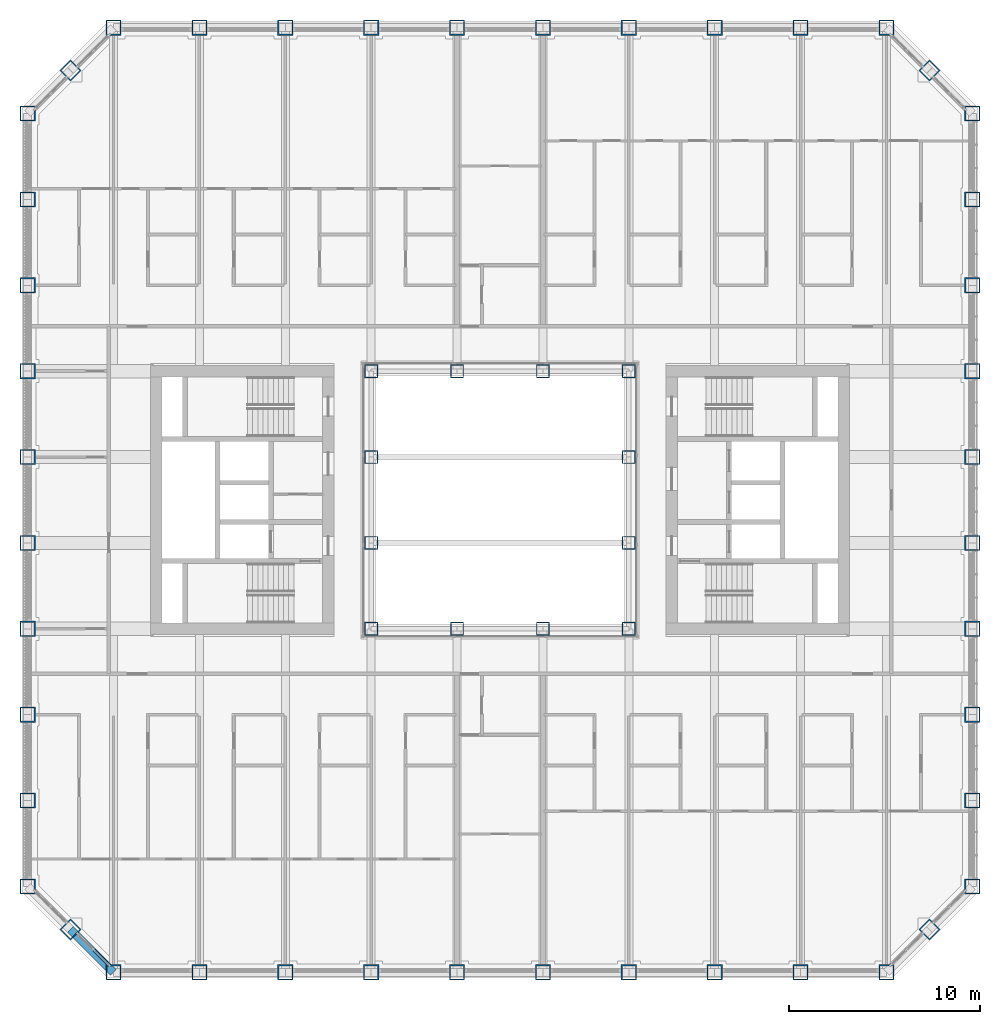
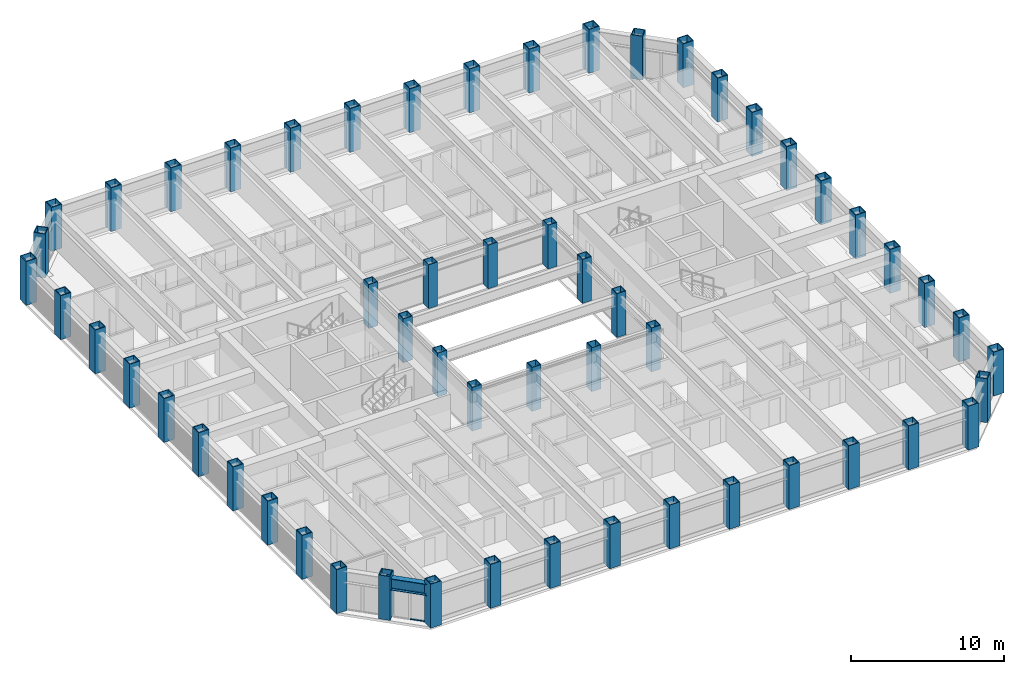
# One storey, part 1 of 21: 56 columns, 2 members, 1 beam, 1 element without a shape of its own.
"""IFC4 building model written with IfcOpenShell, lengths in metres."""

from ifc_helpers import new_model, si_unit, direction, frame, origin, origin_2d, place, context, subcontext, project, spatial, rectangle, hollow_rectangle, i_section, extrude, material, material_profile, profile_set, type_object, element, aggregate, save


model = new_model("IFC4")

# Units and contexts
model_context = context("Model", 3, precision=1e-05, world=origin(), true_north=direction((0.0, 1.0)))
body_context = subcontext(model_context, "Body", "Model", "MODEL_VIEW")
ifc_project = project(units=[si_unit("LENGTHUNIT", "METRE"), si_unit("AREAUNIT", "SQUARE_METRE"), si_unit("VOLUMEUNIT", "CUBIC_METRE"), si_unit("PLANEANGLEUNIT", "RADIAN"), si_unit("MASSUNIT", "GRAM", prefix="KILO")], contexts=[model_context])

# Site, building, storey
site_placement = place(None, origin())
site = spatial("IfcSite", under=ifc_project, at=site_placement, CompositionType="ELEMENT")
building_placement = place(site_placement, origin())
building = spatial("IfcBuilding", under=site, at=building_placement, Name="Msasa Ring Tower", CompositionType="ELEMENT")
storey_placement = place(building_placement, frame((0.0, 0.0, 103.5)))
storey = spatial("IfcBuildingStorey", under=building, at=storey_placement, Name="L27", CompositionType="ELEMENT", Elevation=103.5)

# Columns
ifc_material_1 = material(Name="Steel S355", Category="steel")
ifc_material_profile_1 = material_profile(ifc_material_1, hollow_rectangle(XDim=0.699951171875, YDim=0.699951171875, WallThickness=0.050048828125, at=origin_2d()), Name="BOX 700x700x50")
ifc_profile_set_1 = profile_set([ifc_material_profile_1], Name="Steel S355")
column_type_1 = type_object("IfcColumnType", Name="IC3 BOX 700x700x50", PredefinedType="COLUMN", material=ifc_profile_set_1)
for number, where, z_axis, x_axis, name in (
    (1, (-6.75, -6.75, 0.0), (0.0, 0.0, 1.0), (1.0, 0.0, 0.0), "Inner ring column IR-6.75-6.75 L27"),
    (2, (-6.75, -2.25, 0.0), (0.0, 0.0, 1.0), (1.0, 0.0, 0.0), "Inner ring column IR-6.75-2.25 L27"),
    (3, (-6.75, 2.25, 0.0), (0.0, 0.0, 1.0), (1.0, 0.0, 0.0), "Inner ring column IR-6.75+2.25 L27"),
    (4, (-6.75, 6.75, 0.0), (0.0, 0.0, 1.0), (1.0, 0.0, 0.0), "Inner ring column IR-6.75+6.75 L27"),
    (5, (-2.25, -6.75, 0.0), (0.0, 0.0, 1.0), (1.0, 0.0, 0.0), "Inner ring column IR-2.25-6.75 L27"),
    (6, (-2.25, 6.75, 0.0), (0.0, 0.0, 1.0), (1.0, 0.0, 0.0), "Inner ring column IR-2.25+6.75 L27"),
    (7, (2.25, -6.75, 0.0), (0.0, 0.0, 1.0), (1.0, 0.0, 0.0), "Inner ring column IR+2.25-6.75 L27"),
    (8, (2.25, 6.75, 0.0), (0.0, 0.0, 1.0), (1.0, 0.0, 0.0), "Inner ring column IR+2.25+6.75 L27"),
    (9, (6.75, -6.75, 0.0), (0.0, 0.0, 1.0), (1.0, 0.0, 0.0), "Inner ring column IR+6.75-6.75 L27"),
    (10, (6.75, -2.25, 0.0), (0.0, 0.0, 1.0), (1.0, 0.0, 0.0), "Inner ring column IR+6.75-2.25 L27"),
    (11, (6.75, 2.25, 0.0), (0.0, 0.0, 1.0), (1.0, 0.0, 0.0), "Inner ring column IR+6.75+2.25 L27"),
    (12, (6.75, 6.75, 0.0), (0.0, 0.0, 1.0), (1.0, 0.0, 0.0), "Inner ring column IR+6.75+6.75 L27"),
):
    element("IfcColumn", number, at=place(storey_placement, frame(where, z_axis=z_axis, x_axis=x_axis)), inside=storey, type_object=column_type_1, Name=name, PredefinedType="COLUMN", context=body_context, shape_type="SweptSolid", body=[
        extrude(hollow_rectangle(XDim=0.699951171875, YDim=0.699951171875, WallThickness=0.050048828125, at=origin_2d()), origin(), (0.0, 0.0, 1.0), 3.5),
    ])
ifc_material_2 = material(Name="Steel S355", Category="steel")
ifc_material_profile_2 = material_profile(ifc_material_2, hollow_rectangle(XDim=0.800048828125, YDim=0.800048828125, WallThickness=0.06005859375, at=origin_2d()), Name="BOX 800x800x60")
ifc_profile_set_2 = profile_set([ifc_material_profile_2], Name="Steel S355")
column_type_2 = type_object("IfcColumnType", Name="TC3 BOX 800x800x60", PredefinedType="COLUMN", material=ifc_profile_set_2)
for number, where, z_axis, x_axis, name in (
    (13, (-20.25, -24.75, 0.0), (0.0, 0.0, 1.0), (0.0, 1.0, 0.0), "Tube column S-20.25 L27"),
    (14, (-20.25, 24.75, 0.0), (0.0, 0.0, 1.0), (0.0, 1.0, 0.0), "Tube column N-20.25 L27"),
    (15, (24.75, -20.25, 0.0), (0.0, 0.0, 1.0), (1.0, 0.0, 0.0), "Tube column E-20.25 L27"),
    (16, (-24.75, -20.25, 0.0), (0.0, 0.0, 1.0), (1.0, 0.0, 0.0), "Tube column W-20.25 L27"),
    (17, (-15.75, -24.75, 0.0), (0.0, 0.0, 1.0), (0.0, 1.0, 0.0), "Tube column S-15.75 L27"),
    (18, (-15.75, 24.75, 0.0), (0.0, 0.0, 1.0), (0.0, 1.0, 0.0), "Tube column N-15.75 L27"),
    (19, (24.75, -15.75, 0.0), (0.0, 0.0, 1.0), (1.0, 0.0, 0.0), "Tube column E-15.75 L27"),
    (20, (-24.75, -15.75, 0.0), (0.0, 0.0, 1.0), (1.0, 0.0, 0.0), "Tube column W-15.75 L27"),
    (21, (-11.25, -24.75, 0.0), (0.0, 0.0, 1.0), (0.0, 1.0, 0.0), "Tube column S-11.25 L27"),
    (22, (-11.25, 24.75, 0.0), (0.0, 0.0, 1.0), (0.0, 1.0, 0.0), "Tube column N-11.25 L27"),
    (23, (24.75, -11.25, 0.0), (0.0, 0.0, 1.0), (1.0, 0.0, 0.0), "Tube column E-11.25 L27"),
    (24, (-24.75, -11.25, 0.0), (0.0, 0.0, 1.0), (1.0, 0.0, 0.0), "Tube column W-11.25 L27"),
    (25, (-6.75, -24.75, 0.0), (0.0, 0.0, 1.0), (0.0, 1.0, 0.0), "Tube column S-6.75 L27"),
    (26, (-6.75, 24.75, 0.0), (0.0, 0.0, 1.0), (0.0, 1.0, 0.0), "Tube column N-6.75 L27"),
    (27, (24.75, -6.75, 0.0), (0.0, 0.0, 1.0), (1.0, 0.0, 0.0), "Tube column E-6.75 L27"),
    (28, (-24.75, -6.75, 0.0), (0.0, 0.0, 1.0), (1.0, 0.0, 0.0), "Tube column W-6.75 L27"),
    (29, (-2.25, -24.75, 0.0), (0.0, 0.0, 1.0), (0.0, 1.0, 0.0), "Tube column S-2.25 L27"),
    (30, (-2.25, 24.75, 0.0), (0.0, 0.0, 1.0), (0.0, 1.0, 0.0), "Tube column N-2.25 L27"),
    (31, (24.75, -2.25, 0.0), (0.0, 0.0, 1.0), (1.0, 0.0, 0.0), "Tube column E-2.25 L27"),
    (32, (-24.75, -2.25, 0.0), (0.0, 0.0, 1.0), (1.0, 0.0, 0.0), "Tube column W-2.25 L27"),
    (33, (2.25, -24.75, 0.0), (0.0, 0.0, 1.0), (0.0, 1.0, 0.0), "Tube column S+2.25 L27"),
    (34, (2.25, 24.75, 0.0), (0.0, 0.0, 1.0), (0.0, 1.0, 0.0), "Tube column N+2.25 L27"),
    (35, (24.75, 2.25, 0.0), (0.0, 0.0, 1.0), (1.0, 0.0, 0.0), "Tube column E+2.25 L27"),
    (36, (-24.75, 2.25, 0.0), (0.0, 0.0, 1.0), (1.0, 0.0, 0.0), "Tube column W+2.25 L27"),
    (37, (6.75, -24.75, 0.0), (0.0, 0.0, 1.0), (0.0, 1.0, 0.0), "Tube column S+6.75 L27"),
    (38, (6.75, 24.75, 0.0), (0.0, 0.0, 1.0), (0.0, 1.0, 0.0), "Tube column N+6.75 L27"),
    (39, (24.75, 6.75, 0.0), (0.0, 0.0, 1.0), (1.0, 0.0, 0.0), "Tube column E+6.75 L27"),
    (40, (-24.75, 6.75, 0.0), (0.0, 0.0, 1.0), (1.0, 0.0, 0.0), "Tube column W+6.75 L27"),
    (41, (11.25, -24.75, 0.0), (0.0, 0.0, 1.0), (0.0, 1.0, 0.0), "Tube column S+11.25 L27"),
    (42, (11.25, 24.75, 0.0), (0.0, 0.0, 1.0), (0.0, 1.0, 0.0), "Tube column N+11.25 L27"),
    (43, (24.75, 11.25, 0.0), (0.0, 0.0, 1.0), (1.0, 0.0, 0.0), "Tube column E+11.25 L27"),
    (44, (-24.75, 11.25, 0.0), (0.0, 0.0, 1.0), (1.0, 0.0, 0.0), "Tube column W+11.25 L27"),
    (45, (15.75, -24.75, 0.0), (0.0, 0.0, 1.0), (0.0, 1.0, 0.0), "Tube column S+15.75 L27"),
    (46, (15.75, 24.75, 0.0), (0.0, 0.0, 1.0), (0.0, 1.0, 0.0), "Tube column N+15.75 L27"),
    (47, (24.75, 15.75, 0.0), (0.0, 0.0, 1.0), (1.0, 0.0, 0.0), "Tube column E+15.75 L27"),
    (48, (-24.75, 15.75, 0.0), (0.0, 0.0, 1.0), (1.0, 0.0, 0.0), "Tube column W+15.75 L27"),
    (49, (20.25, -24.75, 0.0), (0.0, 0.0, 1.0), (0.0, 1.0, 0.0), "Tube column S+20.25 L27"),
    (50, (20.25, 24.75, 0.0), (0.0, 0.0, 1.0), (0.0, 1.0, 0.0), "Tube column N+20.25 L27"),
    (51, (24.75, 20.25, 0.0), (0.0, 0.0, 1.0), (1.0, 0.0, 0.0), "Tube column E+20.25 L27"),
    (52, (-24.75, 20.25, 0.0), (0.0, 0.0, 1.0), (1.0, 0.0, 0.0), "Tube column W+20.25 L27"),
    (53, (22.5, -22.5, 0.0), (0.0, 0.0, 1.0), (0.707106781187, -0.707106781187, 0.0), "Tube column SE L27"),
    (54, (22.5, 22.5, 0.0), (0.0, 0.0, 1.0), (0.707106781187, 0.707106781187, 0.0), "Tube column NE L27"),
    (55, (-22.5, 22.5, 0.0), (0.0, 0.0, 1.0), (0.707106781187, -0.707106781187, 0.0), "Tube column NW L27"),
    (56, (-22.5, -22.5, 0.0), (0.0, 0.0, 1.0), (0.707106781187, 0.707106781187, 0.0), "Tube column SW L27"),
):
    element("IfcColumn", number, at=place(storey_placement, frame(where, z_axis=z_axis, x_axis=x_axis)), inside=storey, type_object=column_type_2, Name=name, PredefinedType="COLUMN", context=body_context, shape_type="SweptSolid", body=[
        extrude(hollow_rectangle(XDim=0.800048828125, YDim=0.800048828125, WallThickness=0.06005859375, at=origin_2d()), origin(), (0.0, 0.0, 1.0), 3.5),
    ])

# Curtain wall, members
ifc_material_3 = material(Name="Aluminium curtain wall with clear glass", Category="aluminium")
curtain_wall_type = type_object("IfcCurtainWallType", Name="CW-C CHAMFER CORNER CURTAIN WALL", PredefinedType="NOTDEFINED", material=ifc_material_3)
curtain_wall_placement = place(storey_placement, origin())
curtain_wall = element("IfcCurtainWall", 57, at=curtain_wall_placement, inside=storey, type_object=curtain_wall_type, Name="Chamfer corner curtain wall SW L27", PredefinedType="NOTDEFINED")
ifc_material_4 = material(Name="Aluminium transom", Category="aluminium")
ifc_material_profile_3 = material_profile(ifc_material_4, rectangle(XDim=0.139892578125, YDim=0.06494140625, at=origin_2d()), Name="AL 65x140")
ifc_profile_set_3 = profile_set([ifc_material_profile_3], Name="Aluminium transom")
member_type = type_object("IfcMemberType", Name="CW-C TRANSOM 65x140", PredefinedType="USERDEFINED", material=ifc_profile_set_3)
member_1_placement = place(storey_placement, frame((-21.28125, -23.577392578125, 0.032470703125), z_axis=(0.707106781187, -0.707106781187, 0.0), x_axis=(0.707106781187, 0.707106781187, 0.0)))
member_1 = element("IfcMember", 58, at=member_1_placement, type_object=member_type, Name="CW-C transom 2.1", ObjectType="TRANSOM", PredefinedType="USERDEFINED", context=body_context, shape_type="SweptSolid", body=[
    extrude(rectangle(XDim=0.139892578125, YDim=0.06494140625, at=origin_2d()), origin(), (0.0, 0.0, 1.0), 1.08837890625),
])
member_2_placement = place(storey_placement, frame((-21.28125, -23.577392578125, 2.24658203125), z_axis=(0.707106781187, -0.707106781187, 0.0), x_axis=(0.707106781187, 0.707106781187, 0.0)))
member_2 = element("IfcMember", 59, at=member_2_placement, type_object=member_type, Name="CW-C transom 2.2", ObjectType="TRANSOM", PredefinedType="USERDEFINED", context=body_context, shape_type="SweptSolid", body=[
    extrude(rectangle(XDim=0.139892578125, YDim=0.06494140625, at=origin_2d()), origin(), (0.0, 0.0, 1.0), 1.08837890625),
])
aggregate(curtain_wall, [member_1, member_2])

# Beam
ifc_material_5 = material(Name="Steel S355", Category="steel")
ifc_material_profile_4 = material_profile(ifc_material_5, i_section(OverallWidth=0.42041015625, OverallDepth=0.9208984375, WebThickness=0.021484375, FlangeThickness=0.03662109375, FilletRadius=0.024169921875, at=origin_2d()), Name="UB 914x419x388")
ifc_profile_set_4 = profile_set([ifc_material_profile_4], Name="Steel S355")
beam_type = type_object("IfcBeamType", Name="SB1 UB 914x419x388", PredefinedType="SPANDREL", material=ifc_profile_set_4)
beam_placement = place(storey_placement, frame((-22.5, -22.5, 2.739501953125), z_axis=(0.707106781187, -0.707106781187, 0.0), x_axis=(0.707106781187, 0.707106781187, 0.0)))
element("IfcBeam", 60, at=beam_placement, inside=storey, type_object=beam_type, Name="Spandrel SW to S-20.25 under L28", PredefinedType="SPANDREL", context=body_context, shape_type="SweptSolid", body=[
    extrude(i_section(OverallWidth=0.42041015625, OverallDepth=0.9208984375, WebThickness=0.021484375, FlangeThickness=0.03662109375, FilletRadius=0.024169921875, at=origin_2d()), origin(), (0.0, 0.0, 1.0), 3.181884765625),
])

save(model, "model.ifc")
